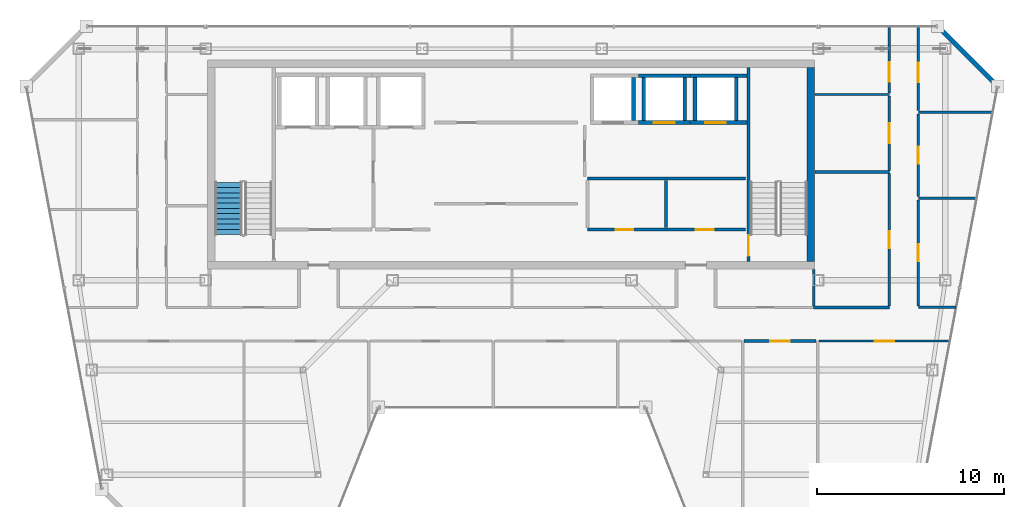
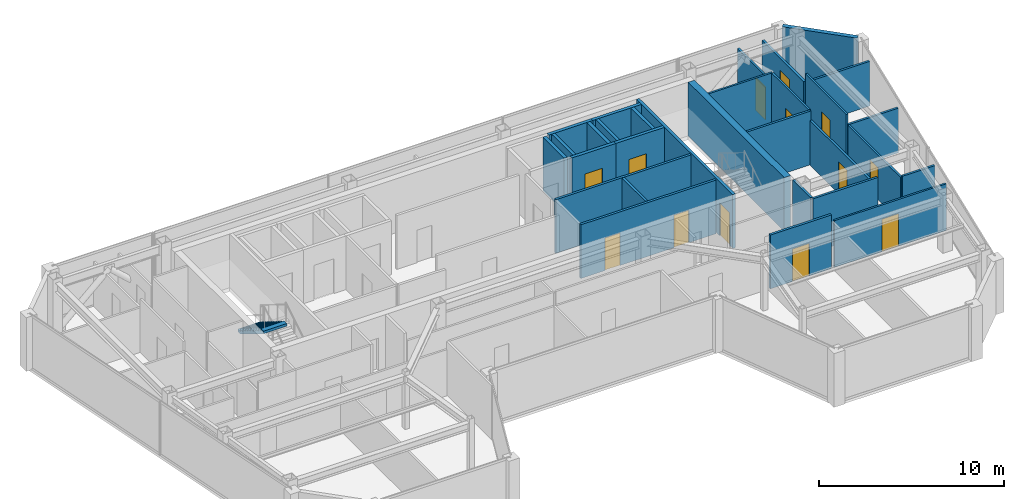
# One storey, part 20 of 23: 30 walls, 13 doors, 1 stair flight, 13 openings, 1 element without a shape of its own.
"""IFC4 building model written with IfcOpenShell, lengths in metres."""

from ifc_helpers import new_model, si_unit, direction, frame, frame_2d, origin, place, context, subcontext, project, spatial, polyline, rectangle, outline, extrude, material, layer, layer_set, type_object, element, fill, aggregate, save


model = new_model("IFC4")

# Units and contexts
model_context = context("Model", 3, precision=1e-05, world=origin(), true_north=direction((0.0, 1.0)))
body_context = subcontext(model_context, "Body", "Model", "MODEL_VIEW")
ifc_project = project(units=[si_unit("LENGTHUNIT", "METRE"), si_unit("AREAUNIT", "SQUARE_METRE"), si_unit("VOLUMEUNIT", "CUBIC_METRE"), si_unit("PLANEANGLEUNIT", "RADIAN"), si_unit("MASSUNIT", "GRAM", prefix="KILO")], contexts=[model_context])

# Site, building, storey
site_placement = place(None, origin())
site = spatial("IfcSite", under=ifc_project, at=site_placement, CompositionType="ELEMENT")
building_placement = place(site_placement, origin())
building = spatial("IfcBuilding", under=site, at=building_placement, Name="Saevonmaru Cultural Tower", CompositionType="ELEMENT")
storey_placement = place(building_placement, frame((0.0, 0.0, 280.0)))
storey = spatial("IfcBuildingStorey", under=building, at=storey_placement, Name="L66", CompositionType="ELEMENT", Elevation=280.0)

# Wall
ifc_material_1 = material(Name="Concrete C50/60", Category="concrete")
ifc_layer_1 = layer(ifc_material_1, 0.39990234375, Name="Concrete C50/60")
ifc_layer_set_1 = layer_set([ifc_layer_1], Name="Concrete C50/60")
wall_type_1 = type_object("IfcWallType", Name="WL-CORE-400", PredefinedType="SHEAR", material=ifc_layer_set_1)
wall_1_placement = place(storey_placement, frame((46.0, 43.39990234375, 0.0), z_axis=(0.0, 0.0, 1.0), x_axis=(0.0, 1.0, 0.0)))
element("IfcWall", 1, at=wall_1_placement, inside=storey, type_object=wall_type_1, Name="L66 Tower RC core shear wall E", PredefinedType="SHEAR", context=body_context, shape_type="SweptSolid", body=[
    extrude(rectangle(XDim=10.400146484375, YDim=0.39990234375, at=frame_2d((5.2001953125, 0.0))), origin(), (0.0, 0.0, 1.0), 3.550048828125),
])

# Wall, openings, doors
ifc_material_2 = material(Name="Gypsum Fireboard Partition", Category="gypsum")
ifc_layer_2 = layer(ifc_material_2, 0.14990234375, Name="Gypsum Fireboard Partition")
ifc_layer_set_2 = layer_set([ifc_layer_2], Name="Gypsum Fireboard Partition")
wall_type_2 = type_object("IfcWallType", Name="WL-CORE-PART-150", PredefinedType="PARTITIONING", material=ifc_layer_set_2)
wall_2_placement = place(storey_placement, frame((34.050048828125, 45.1201171875, 0.0), z_axis=(0.0, 0.0, 1.0), x_axis=(1.0, 0.0, 0.0)))
wall_2 = element("IfcWall", 2, at=wall_2_placement, inside=storey, type_object=wall_type_2, Name="L66 Core Plant South Wall", PredefinedType="PARTITIONING", context=body_context, shape_type="SweptSolid", body=[
    extrude(rectangle(XDim=8.449951171875, YDim=0.14990234375, at=frame_2d((4.22509765625, 0.0))), origin(), (0.0, 0.0, 1.0), 3.550048828125),
])
opening_1_placement = place(wall_2_placement, frame((1.5, 0.0, 0.0)))
opening_1 = element("IfcOpeningElement", 3, at=opening_1_placement, cuts=wall_2, Name="Opening FD-4", PredefinedType="OPENING", context=body_context, shape_type="SweptSolid", body=[
    extrude(rectangle(XDim=0.949951171875, YDim=2.14990234375, at=frame_2d((0.47509765625, 1.074951171875))), frame((0.0, 0.0849609375, 0.0), z_axis=(0.0, -1.0, 0.0), x_axis=(1.0, 0.0, 0.0)), (0.0, 0.0, 1.0), 0.169921875),
])
opening_2_placement = place(wall_2_placement, frame((5.800048828125, 0.0, 0.0)))
opening_2 = element("IfcOpeningElement", 4, at=opening_2_placement, cuts=wall_2, Name="Opening FD-4", PredefinedType="OPENING", context=body_context, shape_type="SweptSolid", body=[
    extrude(rectangle(XDim=0.949951171875, YDim=2.14990234375, at=frame_2d((0.47509765625, 1.074951171875))), frame((0.0, 0.0849609375, 0.0), z_axis=(0.0, -1.0, 0.0), x_axis=(1.0, 0.0, 0.0)), (0.0, 0.0, 1.0), 0.169921875),
])
ifc_material_3 = material(Name="Satin Bronze Anodised Aluminium", Category="aluminium")
door_type_1 = type_object("IfcDoorType", Name="DR-FD60-950", OperationType="SINGLE_SWING_LEFT", PredefinedType="DOOR", material=ifc_material_3)
door_1_placement = place(opening_1_placement, origin())
door_1 = element("IfcDoor", 5, at=door_1_placement, inside=storey, type_object=door_type_1, Name="L66 Floor AHU Plant Door", OperationType="SINGLE_SWING_LEFT", OverallHeight=2.14990234375, OverallWidth=0.949951171875, PredefinedType="DOOR", context=body_context, shape_type="SweptSolid", body=[
    extrude(rectangle(XDim=0.949951171875, YDim=2.14990234375, at=frame_2d((0.47509765625, 1.074951171875))), frame((0.0, 0.02490234375, 0.0), z_axis=(0.0, -1.0, 0.0), x_axis=(1.0, 0.0, 0.0)), (0.0, 0.0, 1.0), 0.050048828125),
])
fill(opening_1, door_1)
door_2_placement = place(opening_2_placement, origin())
door_2 = element("IfcDoor", 6, at=door_2_placement, inside=storey, type_object=door_type_1, Name="L66 Housekeeping Storage Door", OperationType="SINGLE_SWING_LEFT", OverallHeight=2.14990234375, OverallWidth=0.949951171875, PredefinedType="DOOR", context=body_context, shape_type="SweptSolid", body=[
    extrude(rectangle(XDim=0.949951171875, YDim=2.14990234375, at=frame_2d((0.47509765625, 1.074951171875))), frame((0.0, 0.02490234375, 0.0), z_axis=(0.0, -1.0, 0.0), x_axis=(1.0, 0.0, 0.0)), (0.0, 0.0, 1.0), 0.050048828125),
])
fill(opening_2, door_2)

# Walls
wall_3_placement = place(storey_placement, frame((34.050048828125, 47.85009765625, 0.0), z_axis=(0.0, 0.0, 1.0), x_axis=(1.0, 0.0, 0.0)))
element("IfcWall", 7, at=wall_3_placement, inside=storey, type_object=wall_type_2, Name="L66 Core Plant North Wall", PredefinedType="PARTITIONING", context=body_context, shape_type="SweptSolid", body=[
    extrude(rectangle(XDim=8.449951171875, YDim=0.14990234375, at=frame_2d((4.22509765625, 0.0))), origin(), (0.0, 0.0, 1.0), 3.550048828125),
])
wall_4_placement = place(storey_placement, frame((38.25, 45.219970703125, 0.0), z_axis=(0.0, 0.0, 1.0), x_axis=(0.0, 1.0, 0.0)))
element("IfcWall", 8, at=wall_4_placement, inside=storey, type_object=wall_type_2, Name="L66 Core Plant Split", PredefinedType="PARTITIONING", context=body_context, shape_type="SweptSolid", body=[
    extrude(rectangle(XDim=2.530029296875, YDim=0.14990234375, at=frame_2d((1.26513671875, 0.0))), origin(), (0.0, 0.0, 1.0), 3.550048828125),
])
ifc_material_4 = material(Name="Granite-Clad Precast Concrete C40/50", Category="masonry")
ifc_layer_3 = layer(ifc_material_4, 0.260009765625, Name="Granite-Clad Precast Concrete C40/50")
ifc_layer_set_3 = layer_set([ifc_layer_3], Name="Granite-Clad Precast Concrete C40/50")
wall_type_3 = type_object("IfcWallType", Name="WL-EXT-SPANDREL-260", PredefinedType="STANDARD", material=ifc_layer_set_3)
wall_5_placement = place(storey_placement, frame((55.886962890625, 52.9130859375, 0.0), z_axis=(0.0, 0.0, 1.0), x_axis=(-0.707106781187, 0.707106781187, 0.0)))
element("IfcWall", 9, at=wall_5_placement, inside=storey, type_object=wall_type_3, Name="L66 Chamfer Corner Spandrel Wall E9", PredefinedType="STANDARD", context=body_context, shape_type="SweptSolid", body=[
    extrude(rectangle(XDim=4.205810546875, YDim=0.260009765625, at=frame_2d((2.10302734375, 0.0))), origin(), (0.0, 0.0, 1.0), 3.550048828125),
])

# Wall, opening, door
ifc_layer_4 = layer(ifc_material_2, 0.14990234375, Name="Gypsum Fireboard Partition")
ifc_layer_set_4 = layer_set([ifc_layer_4], Name="Gypsum Fireboard Partition")
wall_type_4 = type_object("IfcWallType", Name="WL-PART-FIRE-150", PredefinedType="PARTITIONING", material=ifc_layer_set_4)
wall_6_placement = place(storey_placement, frame((51.75, 51.487548828125, 0.0), z_axis=(0.0, 0.0, 1.0), x_axis=(0.0, 1.0, 0.0)))
wall_6 = element("IfcWall", 10, at=wall_6_placement, inside=storey, type_object=wall_type_4, Name="L66 East Asian Ceramics Gallery Corridor Wall", PredefinedType="PARTITIONING", context=body_context, shape_type="SweptSolid", body=[
    extrude(rectangle(XDim=4.507568359375, YDim=0.14990234375, at=frame_2d((2.25390625, 0.0))), origin(), (0.0, 0.0, 1.0), 2.93505859375),
])
opening_3_placement = place(wall_6_placement, frame((1.509033203125, 0.0, 0.0)))
opening_3 = element("IfcOpeningElement", 11, at=opening_3_placement, cuts=wall_6, Name="Opening ID-1", PredefinedType="OPENING", context=body_context, shape_type="SweptSolid", body=[
    extrude(rectangle(XDim=1.050048828125, YDim=2.14990234375, at=frame_2d((0.52490234375, 1.074951171875))), frame((0.0, 0.0849609375, 0.0), z_axis=(0.0, -1.0, 0.0), x_axis=(1.0, 0.0, 0.0)), (0.0, 0.0, 1.0), 0.169921875),
])
door_type_2 = type_object("IfcDoorType", Name="DR-INT-1050", OperationType="SINGLE_SWING_LEFT", PredefinedType="DOOR", material=ifc_material_3)
door_3_placement = place(opening_3_placement, origin())
door_3 = element("IfcDoor", 12, at=door_3_placement, inside=storey, type_object=door_type_2, Name="L66 East Asian Ceramics Gallery Door", OperationType="SINGLE_SWING_LEFT", OverallHeight=2.14990234375, OverallWidth=1.050048828125, PredefinedType="DOOR", context=body_context, shape_type="SweptSolid", body=[
    extrude(rectangle(XDim=1.050048828125, YDim=2.14990234375, at=frame_2d((0.52490234375, 1.074951171875))), frame((0.0, 0.02490234375, 0.0), z_axis=(0.0, -1.0, 0.0), x_axis=(1.0, 0.0, 0.0)), (0.0, 0.0, 1.0), 0.050048828125),
])
fill(opening_3, door_3)

wall_7_placement = place(storey_placement, frame((42.429931640625, 39.14990234375, 0.0), z_axis=(0.0, 0.0, 1.0), x_axis=(1.0, 0.0, 0.0)))
wall_7 = element("IfcWall", 13, at=wall_7_placement, inside=storey, type_object=wall_type_4, Name="L66 East Asian Ceramics Gallery Corridor Wall", PredefinedType="PARTITIONING", context=body_context, shape_type="SweptSolid", body=[
    extrude(rectangle(XDim=3.842529296875, YDim=0.14990234375, at=frame_2d((1.92138671875, 0.0))), origin(), (0.0, 0.0, 1.0), 3.550048828125),
])
opening_4_placement = place(wall_7_placement, frame((1.39599609375, 0.0, 0.0)))
opening_4 = element("IfcOpeningElement", 14, at=opening_4_placement, cuts=wall_7, Name="Opening ID-1", PredefinedType="OPENING", context=body_context, shape_type="SweptSolid", body=[
    extrude(rectangle(XDim=1.050048828125, YDim=2.14990234375, at=frame_2d((0.52490234375, 1.074951171875))), frame((0.0, 0.0849609375, 0.0), z_axis=(0.0, -1.0, 0.0), x_axis=(1.0, 0.0, 0.0)), (0.0, 0.0, 1.0), 0.169921875),
])
door_4_placement = place(opening_4_placement, origin())
door_4 = element("IfcDoor", 15, at=door_4_placement, inside=storey, type_object=door_type_2, Name="L66 East Asian Ceramics Gallery Door", OperationType="SINGLE_SWING_LEFT", OverallHeight=2.14990234375, OverallWidth=1.050048828125, PredefinedType="DOOR", context=body_context, shape_type="SweptSolid", body=[
    extrude(rectangle(XDim=1.050048828125, YDim=2.14990234375, at=frame_2d((0.52490234375, 1.074951171875))), frame((0.0, 0.02490234375, 0.0), z_axis=(0.0, -1.0, 0.0), x_axis=(1.0, 0.0, 0.0)), (0.0, 0.0, 1.0), 0.050048828125),
])
fill(opening_4, door_4)

# Wall
ifc_layer_5 = layer(ifc_material_2, 0.1201171875, Name="Gypsum Fireboard Partition")
ifc_layer_set_5 = layer_set([ifc_layer_5], Name="Gypsum Fireboard Partition")
wall_type_5 = type_object("IfcWallType", Name="WL-PART-GYP-120", PredefinedType="PARTITIONING", material=ifc_layer_set_5)
wall_8_placement = place(storey_placement, frame((46.219970703125, 52.35009765625, 0.0), z_axis=(0.0, 0.0, 1.0), x_axis=(1.0, 0.0, 0.0)))
element("IfcWall", 16, at=wall_8_placement, inside=storey, type_object=wall_type_5, Name="L66 North-East Panorama South Wall", PredefinedType="PARTITIONING", context=body_context, shape_type="SweptSolid", body=[
    extrude(rectangle(XDim=3.97998046875, YDim=0.1201171875, at=frame_2d((1.989990234375, 0.0))), origin(), (0.0, 0.0, 1.0), 3.550048828125),
])

# Wall, opening, door
wall_9_placement = place(storey_placement, frame((50.199951171875, 48.2900390625, 0.0), z_axis=(0.0, 0.0, 1.0), x_axis=(0.0, 1.0, 0.0)))
wall_9 = element("IfcWall", 17, at=wall_9_placement, inside=storey, type_object=wall_type_5, Name="L66 Rare Folio Reading Room Corridor Wall", PredefinedType="PARTITIONING", context=body_context, shape_type="SweptSolid", body=[
    extrude(rectangle(XDim=3.97998046875, YDim=0.1201171875, at=frame_2d((1.989990234375, 0.0))), origin(), (0.0, 0.0, 1.0), 3.550048828125),
])
opening_5_placement = place(wall_9_placement, frame((1.465087890625, 0.0, 0.0)))
opening_5 = element("IfcOpeningElement", 18, at=opening_5_placement, cuts=wall_9, Name="Opening ID-1", PredefinedType="OPENING", context=body_context, shape_type="SweptSolid", body=[
    extrude(rectangle(XDim=1.050048828125, YDim=2.14990234375, at=frame_2d((0.52490234375, 1.074951171875))), frame((0.0, 0.070068359375, 0.0), z_axis=(0.0, -1.0, 0.0), x_axis=(1.0, 0.0, 0.0)), (0.0, 0.0, 1.0), 0.14013671875),
])
door_5_placement = place(opening_5_placement, origin())
door_5 = element("IfcDoor", 19, at=door_5_placement, inside=storey, type_object=door_type_2, Name="L66 Rare Folio Reading Room Door", OperationType="SINGLE_SWING_LEFT", OverallHeight=2.14990234375, OverallWidth=1.050048828125, PredefinedType="DOOR", context=body_context, shape_type="SweptSolid", body=[
    extrude(rectangle(XDim=1.050048828125, YDim=2.14990234375, at=frame_2d((0.52490234375, 1.074951171875))), frame((0.0, 0.02490234375, 0.0), z_axis=(0.0, -1.0, 0.0), x_axis=(1.0, 0.0, 0.0)), (0.0, 0.0, 1.0), 0.050048828125),
])
fill(opening_5, door_5)

wall_10_placement = place(storey_placement, frame((50.199951171875, 52.429931640625, 0.0), z_axis=(0.0, 0.0, 1.0), x_axis=(0.0, 1.0, 0.0)))
wall_10 = element("IfcWall", 20, at=wall_10_placement, inside=storey, type_object=wall_type_5, Name="L66 Art History Reading Room Corridor Wall", PredefinedType="PARTITIONING", context=body_context, shape_type="SweptSolid", body=[
    extrude(rectangle(XDim=3.565185546875, YDim=0.1201171875, at=frame_2d((1.78271484375, 0.0))), origin(), (0.0, 0.0, 1.0), 2.93505859375),
])
opening_6_placement = place(wall_10_placement, frame((0.596923828125, 0.0, 0.0)))
opening_6 = element("IfcOpeningElement", 21, at=opening_6_placement, cuts=wall_10, Name="Opening ID-1", PredefinedType="OPENING", context=body_context, shape_type="SweptSolid", body=[
    extrude(rectangle(XDim=1.050048828125, YDim=2.14990234375, at=frame_2d((0.52490234375, 1.074951171875))), frame((0.0, 0.070068359375, 0.0), z_axis=(0.0, -1.0, 0.0), x_axis=(1.0, 0.0, 0.0)), (0.0, 0.0, 1.0), 0.14013671875),
])
door_6_placement = place(opening_6_placement, origin())
door_6 = element("IfcDoor", 22, at=door_6_placement, inside=storey, type_object=door_type_2, Name="L66 Art History Reading Room Door", OperationType="SINGLE_SWING_RIGHT", OverallHeight=2.14990234375, OverallWidth=1.050048828125, PredefinedType="DOOR", context=body_context, shape_type="SweptSolid", body=[
    extrude(rectangle(XDim=1.050048828125, YDim=2.14990234375, at=frame_2d((0.52490234375, 1.074951171875))), frame((0.0, 0.02490234375, 0.0), z_axis=(0.0, -1.0, 0.0), x_axis=(1.0, 0.0, 0.0)), (0.0, 0.0, 1.0), 0.050048828125),
])
fill(opening_6, door_6)

wall_11_placement = place(storey_placement, frame((51.75, 41.03759765625, 0.0), z_axis=(0.0, 0.0, 1.0), x_axis=(0.0, 1.0, 0.0)))
wall_11 = element("IfcWall", 23, at=wall_11_placement, inside=storey, type_object=wall_type_5, Name="L66 Calligraphy Teaching Studio Corridor Wall", PredefinedType="PARTITIONING", context=body_context, shape_type="SweptSolid", body=[
    extrude(rectangle(XDim=5.6748046875, YDim=0.1201171875, at=frame_2d((2.83740234375, 0.0))), origin(), (0.0, 0.0, 1.0), 2.947021484375),
])
opening_7_placement = place(wall_11_placement, frame((2.386962890625, 0.0, 0.0)))
opening_7 = element("IfcOpeningElement", 24, at=opening_7_placement, cuts=wall_11, Name="Opening ID-2", PredefinedType="OPENING", context=body_context, shape_type="SweptSolid", body=[
    extrude(rectangle(XDim=0.89990234375, YDim=2.10009765625, at=frame_2d((0.449951171875, 1.050048828125))), frame((0.0, 0.070068359375, 0.0), z_axis=(0.0, -1.0, 0.0), x_axis=(1.0, 0.0, 0.0)), (0.0, 0.0, 1.0), 0.14013671875),
])
ifc_material_5 = material(Name="Acoustic Stained Oak Timber", Category="wood")
door_type_3 = type_object("IfcDoorType", Name="DR-INT-900", OperationType="SINGLE_SWING_RIGHT", PredefinedType="DOOR", material=ifc_material_5)
door_7_placement = place(opening_7_placement, origin())
door_7 = element("IfcDoor", 25, at=door_7_placement, inside=storey, type_object=door_type_3, Name="L66 Calligraphy Teaching Studio Door", OperationType="SINGLE_SWING_LEFT", OverallHeight=2.10009765625, OverallWidth=0.89990234375, PredefinedType="DOOR", context=body_context, shape_type="SweptSolid", body=[
    extrude(rectangle(XDim=0.89990234375, YDim=2.10009765625, at=frame_2d((0.449951171875, 1.050048828125))), frame((0.0, 0.02490234375, 0.0), z_axis=(0.0, -1.0, 0.0), x_axis=(1.0, 0.0, 0.0)), (0.0, 0.0, 1.0), 0.050048828125),
])
fill(opening_7, door_7)

wall_12_placement = place(storey_placement, frame((51.75, 46.887451171875, 0.0), z_axis=(0.0, 0.0, 1.0), x_axis=(0.0, 1.0, 0.0)))
wall_12 = element("IfcWall", 26, at=wall_12_placement, inside=storey, type_object=wall_type_5, Name="L66 Curatorial Board Meeting Room Corridor Wall", PredefinedType="PARTITIONING", context=body_context, shape_type="SweptSolid", body=[
    extrude(rectangle(XDim=4.425048828125, YDim=0.1201171875, at=frame_2d((2.21240234375, 0.0))), origin(), (0.0, 0.0, 1.0), 3.550048828125),
])
opening_8_placement = place(wall_12_placement, frame((1.761962890625, 0.0, 0.0)))
opening_8 = element("IfcOpeningElement", 27, at=opening_8_placement, cuts=wall_12, Name="Opening ID-2", PredefinedType="OPENING", context=body_context, shape_type="SweptSolid", body=[
    extrude(rectangle(XDim=0.89990234375, YDim=2.10009765625, at=frame_2d((0.449951171875, 1.050048828125))), frame((0.0, 0.070068359375, 0.0), z_axis=(0.0, -1.0, 0.0), x_axis=(1.0, 0.0, 0.0)), (0.0, 0.0, 1.0), 0.14013671875),
])
door_8_placement = place(opening_8_placement, origin())
door_8 = element("IfcDoor", 28, at=door_8_placement, inside=storey, type_object=door_type_3, Name="L66 Curatorial Board Meeting Room Door", OperationType="SINGLE_SWING_RIGHT", OverallHeight=2.10009765625, OverallWidth=0.89990234375, PredefinedType="DOOR", context=body_context, shape_type="SweptSolid", body=[
    extrude(rectangle(XDim=0.89990234375, YDim=2.10009765625, at=frame_2d((0.449951171875, 1.050048828125))), frame((0.0, 0.02490234375, 0.0), z_axis=(0.0, -1.0, 0.0), x_axis=(1.0, 0.0, 0.0)), (0.0, 0.0, 1.0), 0.050048828125),
])
fill(opening_8, door_8)

wall_13_placement = place(storey_placement, frame((46.447509765625, 39.14990234375, 0.0), z_axis=(0.0, 0.0, 1.0), x_axis=(1.0, 0.0, 0.0)))
wall_13 = element("IfcWall", 29, at=wall_13_placement, inside=storey, type_object=wall_type_5, Name="L66 Rare Folio Reading Room Corridor Wall", PredefinedType="PARTITIONING", context=body_context, shape_type="SweptSolid", body=[
    extrude(rectangle(XDim=6.99169921875, YDim=0.1201171875, at=frame_2d((3.495849609375, 0.0))), origin(), (0.0, 0.0, 1.0), 3.0849609375),
])
opening_9_placement = place(wall_13_placement, frame((2.970947265625, 0.0, 0.0)))
opening_9 = element("IfcOpeningElement", 30, at=opening_9_placement, cuts=wall_13, Name="Opening ID-1", PredefinedType="OPENING", context=body_context, shape_type="SweptSolid", body=[
    extrude(rectangle(XDim=1.050048828125, YDim=2.14990234375, at=frame_2d((0.52490234375, 1.074951171875))), frame((0.0, 0.070068359375, 0.0), z_axis=(0.0, -1.0, 0.0), x_axis=(1.0, 0.0, 0.0)), (0.0, 0.0, 1.0), 0.14013671875),
])
door_9_placement = place(opening_9_placement, origin())
door_9 = element("IfcDoor", 31, at=door_9_placement, inside=storey, type_object=door_type_2, Name="L66 Rare Folio Reading Room Door", OperationType="SINGLE_SWING_RIGHT", OverallHeight=2.14990234375, OverallWidth=1.050048828125, PredefinedType="DOOR", context=body_context, shape_type="SweptSolid", body=[
    extrude(rectangle(XDim=1.050048828125, YDim=2.14990234375, at=frame_2d((0.52490234375, 1.074951171875))), frame((0.0, 0.02490234375, 0.0), z_axis=(0.0, -1.0, 0.0), x_axis=(1.0, 0.0, 0.0)), (0.0, 0.0, 1.0), 0.050048828125),
])
fill(opening_9, door_9)

# Walls
ifc_layer_6 = layer(ifc_material_2, 0.135009765625, Name="Gypsum Fireboard Partition")
ifc_layer_set_6 = layer_set([ifc_layer_6], Name="Gypsum Fireboard Partition")
wall_type_6 = type_object("IfcWallType", Name="WL-PART-GYP-135", PredefinedType="PARTITIONING", material=ifc_layer_set_6)
wall_14_placement = place(storey_placement, frame((51.75, 40.949951171875, 0.0), z_axis=(0.0, 0.0, 1.0), x_axis=(1.0, 0.0, 0.0)))
element("IfcWall", 32, at=wall_14_placement, inside=storey, type_object=wall_type_6, Name="L66 NE Wing South Wall", PredefinedType="PARTITIONING", context=body_context, shape_type="SweptSolid", body=[
    extrude(rectangle(XDim=2.026123046875, YDim=0.135009765625, at=frame_2d((1.01318359375, 0.0))), origin(), (0.0, 0.0, 1.0), 3.0849609375),
])
wall_15_placement = place(storey_placement, frame((51.75, 46.800048828125, 0.0), z_axis=(0.0, 0.0, 1.0), x_axis=(1.0, 0.0, 0.0)))
element("IfcWall", 33, at=wall_15_placement, inside=storey, type_object=wall_type_6, Name="L66 NE Studio Divider 1", PredefinedType="PARTITIONING", context=body_context, shape_type="SweptSolid", body=[
    extrude(rectangle(XDim=3.12158203125, YDim=0.135009765625, at=frame_2d((1.560791015625, 0.0))), origin(), (0.0, 0.0, 1.0), 2.947021484375),
])
wall_16_placement = place(storey_placement, frame((51.75, 51.39990234375, 0.0), z_axis=(0.0, 0.0, 1.0), x_axis=(1.0, 0.0, 0.0)))
element("IfcWall", 34, at=wall_16_placement, inside=storey, type_object=wall_type_6, Name="L66 NE Studio Divider 2", PredefinedType="PARTITIONING", context=body_context, shape_type="SweptSolid", body=[
    extrude(rectangle(XDim=3.98291015625, YDim=0.135009765625, at=frame_2d((1.991455078125, 0.0))), origin(), (0.0, 0.0, 1.0), 2.947021484375),
])
ifc_layer_7 = layer(ifc_material_2, 0.139892578125, Name="Gypsum Fireboard Partition")
ifc_layer_set_7 = layer_set([ifc_layer_7], Name="Gypsum Fireboard Partition")
wall_type_7 = type_object("IfcWallType", Name="WL-PART-WET-140", PredefinedType="PARTITIONING", material=ifc_layer_set_7)
wall_17_placement = place(storey_placement, frame((46.14990234375, 40.949951171875, 0.0), z_axis=(0.0, 0.0, 1.0), x_axis=(1.0, 0.0, 0.0)))
element("IfcWall", 35, at=wall_17_placement, inside=storey, type_object=wall_type_7, Name="L66 Washroom South Wall", PredefinedType="PARTITIONING", context=body_context, shape_type="SweptSolid", body=[
    extrude(rectangle(XDim=4.050048828125, YDim=0.139892578125, at=frame_2d((2.02490234375, 0.0))), origin(), (0.0, 0.0, 1.0), 3.550048828125),
])
wall_18_placement = place(storey_placement, frame((46.14990234375, 41.0400390625, 0.0), z_axis=(0.0, 0.0, 1.0), x_axis=(0.0, 1.0, 0.0)))
element("IfcWall", 36, at=wall_18_placement, inside=storey, type_object=wall_type_7, Name="L66 Washroom South-West Return", PredefinedType="PARTITIONING", context=body_context, shape_type="SweptSolid", body=[
    extrude(rectangle(XDim=1.93994140625, YDim=0.139892578125, at=frame_2d((0.969970703125, 0.0))), origin(), (0.0, 0.0, 1.0), 3.550048828125),
])
wall_19_placement = place(storey_placement, frame((46.219970703125, 48.199951171875, 0.0), z_axis=(0.0, 0.0, 1.0), x_axis=(1.0, 0.0, 0.0)))
element("IfcWall", 37, at=wall_19_placement, inside=storey, type_object=wall_type_7, Name="L66 Washroom North Wall", PredefinedType="PARTITIONING", context=body_context, shape_type="SweptSolid", body=[
    extrude(rectangle(XDim=3.97998046875, YDim=0.139892578125, at=frame_2d((1.989990234375, 0.0))), origin(), (0.0, 0.0, 1.0), 3.550048828125),
])

# Wall, opening, door
wall_20_placement = place(storey_placement, frame((50.199951171875, 41.0400390625, 0.0), z_axis=(0.0, 0.0, 1.0), x_axis=(0.0, 1.0, 0.0)))
wall_20 = element("IfcWall", 38, at=wall_20_placement, inside=storey, type_object=wall_type_7, Name="L66 Washroom Corridor Wall", PredefinedType="PARTITIONING", context=body_context, shape_type="SweptSolid", body=[
    extrude(rectangle(XDim=7.070068359375, YDim=0.139892578125, at=frame_2d((3.53515625, 0.0))), origin(), (0.0, 0.0, 1.0), 2.947021484375),
])
opening_10_placement = place(wall_20_placement, frame((3.0849609375, 0.0, 0.0)))
opening_10 = element("IfcOpeningElement", 39, at=opening_10_placement, cuts=wall_20, Name="Opening ID-2", PredefinedType="OPENING", context=body_context, shape_type="SweptSolid", body=[
    extrude(rectangle(XDim=0.89990234375, YDim=2.10009765625, at=frame_2d((0.449951171875, 1.050048828125))), frame((0.0, 0.080078125, 0.0), z_axis=(0.0, -1.0, 0.0), x_axis=(1.0, 0.0, 0.0)), (0.0, 0.0, 1.0), 0.159912109375),
])
door_10_placement = place(opening_10_placement, origin())
door_10 = element("IfcDoor", 40, at=door_10_placement, inside=storey, type_object=door_type_3, Name="L66 Public Accessible Washrooms Door", OperationType="SINGLE_SWING_RIGHT", OverallHeight=2.10009765625, OverallWidth=0.89990234375, PredefinedType="DOOR", context=body_context, shape_type="SweptSolid", body=[
    extrude(rectangle(XDim=0.89990234375, YDim=2.10009765625, at=frame_2d((0.449951171875, 1.050048828125))), frame((0.0, 0.02490234375, 0.0), z_axis=(0.0, -1.0, 0.0), x_axis=(1.0, 0.0, 0.0)), (0.0, 0.0, 1.0), 0.050048828125),
])
fill(opening_10, door_10)

# Wall
ifc_material_6 = material(Name="Concrete C40/50", Category="concrete")
ifc_layer_8 = layer(ifc_material_6, 0.199951171875, Name="Concrete C40/50")
ifc_layer_set_8 = layer_set([ifc_layer_8], Name="Concrete C40/50")
wall_type_8 = type_object("IfcWallType", Name="WL-SHAFT-200", PredefinedType="SHEAR", material=ifc_layer_set_8)
wall_21_placement = place(storey_placement, frame((36.5, 50.949951171875, 0.0), z_axis=(0.0, 0.0, 1.0), x_axis=(0.0, 1.0, 0.0)))
element("IfcWall", 41, at=wall_21_placement, inside=storey, type_object=wall_type_8, Name="L66 Lift PL-H1 Hoistway Wall E", PredefinedType="SHEAR", context=body_context, shape_type="SweptSolid", body=[
    extrude(rectangle(XDim=2.300048828125, YDim=0.199951171875, at=frame_2d((1.14990234375, 0.0))), origin(), (0.0, 0.0, 1.0), 3.550048828125),
])

# Wall, opening, door
wall_22_placement = place(storey_placement, frame((36.77490234375, 50.85009765625, 0.0), z_axis=(0.0, 0.0, 1.0), x_axis=(1.0, 0.0, 0.0)))
wall_22 = element("IfcWall", 42, at=wall_22_placement, inside=storey, type_object=wall_type_8, Name="L66 Lift PL-H2 Hoistway Wall S", PredefinedType="SHEAR", context=body_context, shape_type="SweptSolid", body=[
    extrude(rectangle(XDim=2.75, YDim=0.199951171875, at=frame_2d((1.375, 0.0))), origin(), (0.0, 0.0, 1.0), 3.550048828125),
])
opening_11_placement = place(wall_22_placement, frame((0.824951171875, 0.0, 0.0)))
opening_11 = element("IfcOpeningElement", 43, at=opening_11_placement, cuts=wall_22, Name="Opening LD-1", PredefinedType="OPENING", context=body_context, shape_type="SweptSolid", body=[
    extrude(rectangle(XDim=1.10009765625, YDim=2.199951171875, at=frame_2d((0.550048828125, 1.10009765625))), frame((0.0, 0.10986328125, 0.0), z_axis=(0.0, -1.0, 0.0), x_axis=(1.0, 0.0, 0.0)), (0.0, 0.0, 1.0), 0.219970703125),
])
ifc_material_7 = material(Name="Satin Bronze Stainless Steel", Category="steel")
door_type_4 = type_object("IfcDoorType", Name="DR-LIFT-1100", OperationType="SLIDING_TO_LEFT", PredefinedType="DOOR", material=ifc_material_7)
door_11_placement = place(opening_11_placement, origin())
door_11 = element("IfcDoor", 44, at=door_11_placement, inside=storey, type_object=door_type_4, Name="L66 Lift PL-H2 Sliding Landing Door", OperationType="SLIDING_TO_LEFT", OverallHeight=2.199951171875, OverallWidth=1.10009765625, PredefinedType="DOOR", context=body_context, shape_type="SweptSolid", body=[
    extrude(rectangle(XDim=1.10009765625, YDim=2.199951171875, at=frame_2d((0.550048828125, 1.10009765625))), frame((0.0, 0.02490234375, 0.0), z_axis=(0.0, -1.0, 0.0), x_axis=(1.0, 0.0, 0.0)), (0.0, 0.0, 1.0), 0.050048828125),
])
fill(opening_11, door_11)

# Walls
wall_23_placement = place(storey_placement, frame((36.77490234375, 53.35009765625, 0.0), z_axis=(0.0, 0.0, 1.0), x_axis=(1.0, 0.0, 0.0)))
element("IfcWall", 45, at=wall_23_placement, inside=storey, type_object=wall_type_8, Name="L66 Lift PL-H2 Hoistway Wall N", PredefinedType="SHEAR", context=body_context, shape_type="SweptSolid", body=[
    extrude(rectangle(XDim=2.75, YDim=0.199951171875, at=frame_2d((1.375, 0.0))), origin(), (0.0, 0.0, 1.0), 3.550048828125),
])
for number, where, z_axis, x_axis, name in (
    (46, (37.050048828125, 50.949951171875, 0.0), (0.0, 0.0, 1.0), (0.0, 1.0, 0.0), "L66 Lift PL-H2 Hoistway Wall W"),
    (47, (39.25, 50.949951171875, 0.0), (0.0, 0.0, 1.0), (0.0, 1.0, 0.0), "L66 Lift PL-H2 Hoistway Wall E"),
):
    element("IfcWall", number, at=place(storey_placement, frame(where, z_axis=z_axis, x_axis=x_axis)), inside=storey, type_object=wall_type_8, Name=name, PredefinedType="SHEAR", context=body_context, shape_type="SweptSolid", body=[
        extrude(rectangle(XDim=2.300048828125, YDim=0.199951171875, at=frame_2d((1.14990234375, 0.0))), origin(), (0.0, 0.0, 1.0), 3.550048828125),
    ])

# Wall, opening, door
wall_24_placement = place(storey_placement, frame((39.52490234375, 50.85009765625, 0.0), z_axis=(0.0, 0.0, 1.0), x_axis=(1.0, 0.0, 0.0)))
wall_24 = element("IfcWall", 48, at=wall_24_placement, inside=storey, type_object=wall_type_8, Name="L66 Lift PL-H3 Hoistway Wall S", PredefinedType="SHEAR", context=body_context, shape_type="SweptSolid", body=[
    extrude(rectangle(XDim=3.045166015625, YDim=0.199951171875, at=frame_2d((1.5224609375, 0.0))), origin(), (0.0, 0.0, 1.0), 3.550048828125),
])
opening_12_placement = place(wall_24_placement, frame((0.824951171875, 0.0, 0.0)))
opening_12 = element("IfcOpeningElement", 49, at=opening_12_placement, cuts=wall_24, Name="Opening LD-1", PredefinedType="OPENING", context=body_context, shape_type="SweptSolid", body=[
    extrude(rectangle(XDim=1.10009765625, YDim=2.199951171875, at=frame_2d((0.550048828125, 1.10009765625))), frame((0.0, 0.10986328125, 0.0), z_axis=(0.0, -1.0, 0.0), x_axis=(1.0, 0.0, 0.0)), (0.0, 0.0, 1.0), 0.219970703125),
])
door_12_placement = place(opening_12_placement, origin())
door_12 = element("IfcDoor", 50, at=door_12_placement, inside=storey, type_object=door_type_4, Name="L66 Lift PL-H3 Sliding Landing Door", OperationType="SLIDING_TO_LEFT", OverallHeight=2.199951171875, OverallWidth=1.10009765625, PredefinedType="DOOR", context=body_context, shape_type="SweptSolid", body=[
    extrude(rectangle(XDim=1.10009765625, YDim=2.199951171875, at=frame_2d((0.550048828125, 1.10009765625))), frame((0.0, 0.02490234375, 0.0), z_axis=(0.0, -1.0, 0.0), x_axis=(1.0, 0.0, 0.0)), (0.0, 0.0, 1.0), 0.050048828125),
])
fill(opening_12, door_12)

# Walls
wall_25_placement = place(storey_placement, frame((39.52490234375, 53.35009765625, 0.0), z_axis=(0.0, 0.0, 1.0), x_axis=(1.0, 0.0, 0.0)))
element("IfcWall", 51, at=wall_25_placement, inside=storey, type_object=wall_type_8, Name="L66 Lift PL-H3 Hoistway Wall N", PredefinedType="SHEAR", context=body_context, shape_type="SweptSolid", body=[
    extrude(rectangle(XDim=3.045166015625, YDim=0.199951171875, at=frame_2d((1.5224609375, 0.0))), origin(), (0.0, 0.0, 1.0), 3.550048828125),
])
for number, where, z_axis, x_axis, name in (
    (52, (39.800048828125, 50.949951171875, 0.0), (0.0, 0.0, 1.0), (0.0, 1.0, 0.0), "L66 Lift PL-H3 Hoistway Wall W"),
    (53, (42.0, 50.949951171875, 0.0), (0.0, 0.0, 1.0), (0.0, 1.0, 0.0), "L66 Lift PL-H3 Hoistway Wall E"),
):
    element("IfcWall", number, at=place(storey_placement, frame(where, z_axis=z_axis, x_axis=x_axis)), inside=storey, type_object=wall_type_8, Name=name, PredefinedType="SHEAR", context=body_context, shape_type="SweptSolid", body=[
        extrude(rectangle(XDim=2.300048828125, YDim=0.199951171875, at=frame_2d((1.14990234375, 0.0))), origin(), (0.0, 0.0, 1.0), 3.550048828125),
    ])

# Wall, opening, door
ifc_layer_9 = layer(ifc_material_6, 0.179931640625, Name="Concrete C40/50")
ifc_layer_set_9 = layer_set([ifc_layer_9], Name="Concrete C40/50")
wall_type_9 = type_object("IfcWallType", Name="WL-STSHAFT-180", PredefinedType="SHEAR", material=ifc_layer_set_9)
wall_26_placement = place(storey_placement, frame((42.659912109375, 53.800048828125, 0.0), z_axis=(0.0, 0.0, 1.0), x_axis=(0.0, -1.0, 0.0)))
wall_26 = element("IfcWall", 54, at=wall_26_placement, inside=storey, type_object=wall_type_9, Name="L66 Stair ST-2 Structural Shaft Wall 1", PredefinedType="SHEAR", context=body_context, shape_type="SweptSolid", body=[
    extrude(rectangle(XDim=10.400146484375, YDim=0.179931640625, at=frame_2d((5.2001953125, 0.0))), origin(), (0.0, 0.0, 1.0), 3.550048828125),
])
opening_13_placement = place(wall_26_placement, frame((8.989990234375, 0.0, 0.0)))
opening_13 = element("IfcOpeningElement", 55, at=opening_13_placement, cuts=wall_26, Name="Opening FD-2", PredefinedType="OPENING", context=body_context, shape_type="SweptSolid", body=[
    extrude(rectangle(XDim=1.10009765625, YDim=2.14990234375, at=frame_2d((0.550048828125, 1.074951171875))), frame((0.0, 0.10009765625, 0.0), z_axis=(0.0, -1.0, 0.0), x_axis=(1.0, 0.0, 0.0)), (0.0, 0.0, 1.0), 0.199951171875),
])
door_type_5 = type_object("IfcDoorType", Name="DR-FD60-1100", OperationType="SINGLE_SWING_LEFT", PredefinedType="DOOR", material=ifc_material_3)
door_13_placement = place(opening_13_placement, origin())
door_13 = element("IfcDoor", 56, at=door_13_placement, inside=storey, type_object=door_type_5, Name="L66 Protected Stair ST-2 Fire Door", OperationType="SINGLE_SWING_LEFT", OverallHeight=2.14990234375, OverallWidth=1.10009765625, PredefinedType="DOOR", context=body_context, shape_type="SweptSolid", body=[
    extrude(rectangle(XDim=1.10009765625, YDim=2.14990234375, at=frame_2d((0.550048828125, 1.074951171875))), frame((0.0, 0.02490234375, 0.0), z_axis=(0.0, -1.0, 0.0), x_axis=(1.0, 0.0, 0.0)), (0.0, 0.0, 1.0), 0.050048828125),
])
fill(opening_13, door_13)

# Stair, stair flight
stair_type = type_object("IfcStairType", Name="STR-DOGLEG-RC", PredefinedType="HALF_TURN_STAIR", material=ifc_material_6)
stair_placement = place(storey_placement, origin())
stair = element("IfcStair", 57, at=stair_placement, inside=storey, type_object=stair_type, Name="L66 Protected exit stair ST-1", PredefinedType="HALF_TURN_STAIR")
ifc_material_8 = material(Name="Precast concrete C40/50", Category="concrete")
stair_flight_type = type_object("IfcStairFlightType", Name="STF-PRECAST-180", PredefinedType="STRAIGHT", material=ifc_material_8)
stair_flight_placement = place(storey_placement, frame((14.824951171875, 47.64990234375, 1.89990234375), z_axis=(0.0, 0.0, 1.0), x_axis=(0.0, -1.0, 0.0)))
stair_flight = element("IfcStairFlight", 58, at=stair_flight_placement, type_object=stair_flight_type, Name="ST-1-L66 flight 2", NumberOfRisers=11, NumberOfTreads=10, PredefinedType="STRAIGHT", RiserHeight=0.172727273, TreadLength=0.28, context=body_context, shape_type="SweptSolid", body=[
    extrude(outline(polyline([(0.0, 0.0), (0.0, 0.172607421875), (0.280029296875, 0.172607421875), (0.280029296875, 0.345458984375), (0.56005859375, 0.345458984375), (0.56005859375, 0.51806640625), (0.840087890625, 0.51806640625), (0.840087890625, 0.69091796875), (1.1201171875, 0.69091796875), (1.1201171875, 0.863525390625), (1.39990234375, 0.863525390625), (1.39990234375, 1.036376953125), (1.679931640625, 1.036376953125), (1.679931640625, 1.208984375), (1.9599609375, 1.208984375), (1.9599609375, 1.3818359375), (2.239990234375, 1.3818359375), (2.239990234375, 1.554443359375), (2.52001953125, 1.554443359375), (2.52001953125, 1.727294921875), (2.800048828125, 1.727294921875), (2.800048828125, 1.89990234375), (2.800048828125, 1.551025390625), (0.285400390625, 0.0), (0.0, 0.0)])), frame((0.0, 0.72509765625, 0.0), z_axis=(0.0, -1.0, 0.0), x_axis=(1.0, 0.0, 0.0)), (0.0, 0.0, 1.0), 1.449951171875),
])
aggregate(stair, [stair_flight])

save(model, "model.ifc")
